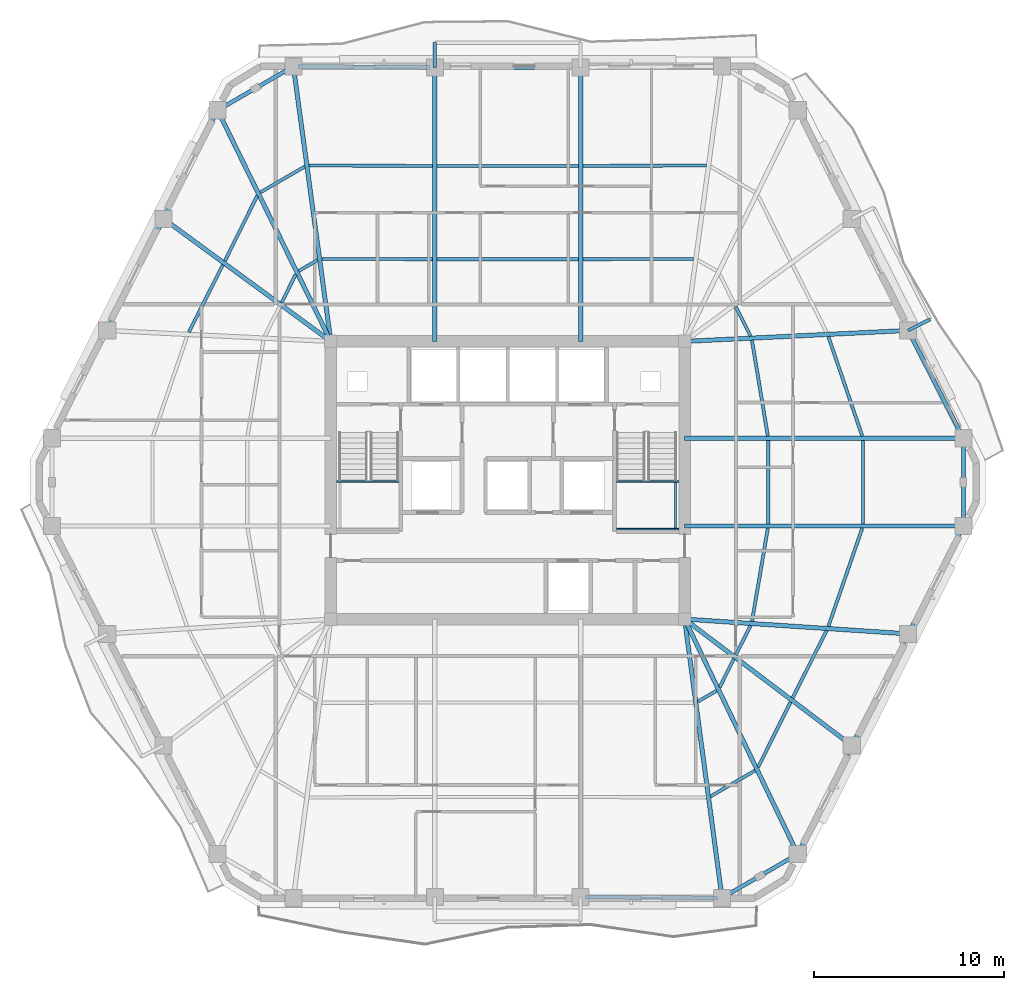
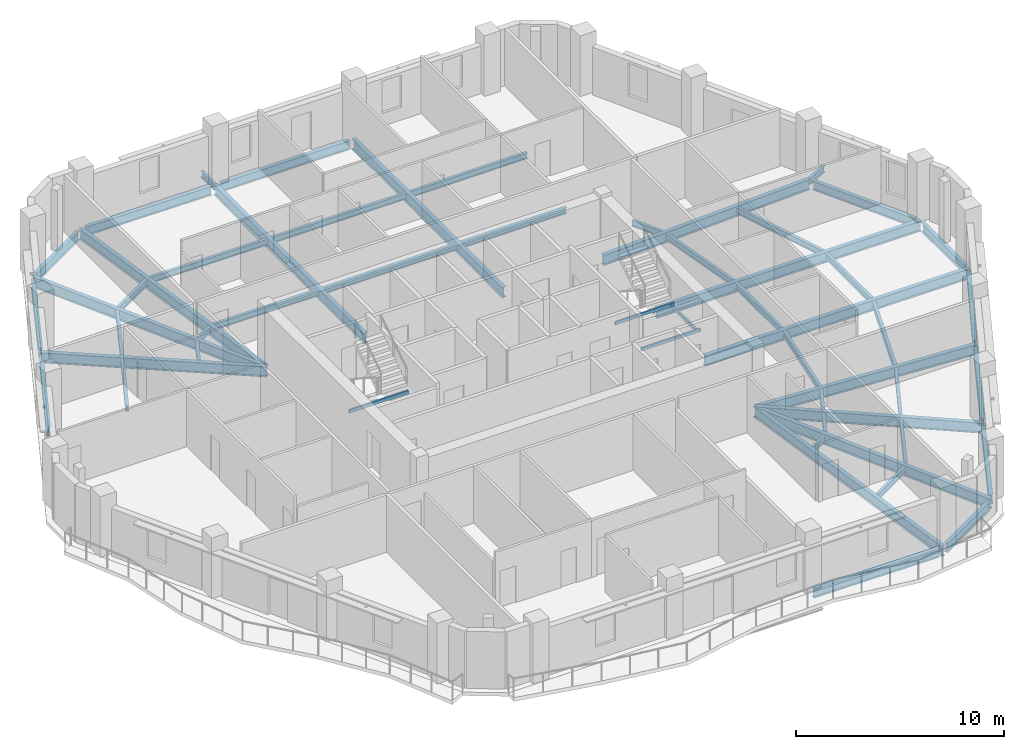
# One storey, part 2 of 12: 54 beams.
"""IFC4 building model written with IfcOpenShell, lengths in metres."""

from ifc_helpers import new_model, si_unit, direction, frame, origin, origin_2d, place, context, subcontext, project, spatial, hollow_rectangle, i_section, extrude, material, material_profile, profile_set, type_object, element, save


model = new_model("IFC4")

# Units and contexts
model_context = context("Model", 3, precision=1e-05, world=origin(), true_north=direction((0.0, 1.0)))
body_context = subcontext(model_context, "Body", "Model", "MODEL_VIEW")
ifc_project = project(units=[si_unit("LENGTHUNIT", "METRE"), si_unit("AREAUNIT", "SQUARE_METRE"), si_unit("VOLUMEUNIT", "CUBIC_METRE"), si_unit("PLANEANGLEUNIT", "RADIAN"), si_unit("MASSUNIT", "GRAM", prefix="KILO")], contexts=[model_context])

# Site, building, storey
site_placement = place(None, origin())
site = spatial("IfcSite", under=ifc_project, at=site_placement, CompositionType="ELEMENT")
building_placement = place(site_placement, origin())
building = spatial("IfcBuilding", under=site, at=building_placement, Name="Cinnabar Lancet Tower", CompositionType="ELEMENT")
storey_placement = place(building_placement, frame((0.0, 0.0, 157.050048828125)))
storey = spatial("IfcBuildingStorey", under=building, at=storey_placement, Name="L41", CompositionType="ELEMENT", Elevation=157.050048828125)

# Beams
ifc_material_1 = material(Name="Structural steel S355", Category="steel")
ifc_material_profile_1 = material_profile(ifc_material_1, i_section(OverallWidth=0.17138671875, OverallDepth=0.35498046875, WebThickness=0.00732421875, FlangeThickness=0.011474609375, FilletRadius=0.01025390625, at=origin_2d()), Name="UKB 356x171x51")
ifc_profile_set_1 = profile_set([ifc_material_profile_1], Name="Structural steel S355")
beam_type_1 = type_object("IfcBeamType", Name="STR-BM-JST-356", PredefinedType="JOIST", material=ifc_profile_set_1)
beam_1_placement = place(storey_placement, frame((43.06689453125, 9.279052734375, -0.387939453125), z_axis=(0.865172906898, 0.501473669469, 0.0), x_axis=(-0.501473669469, 0.865172906898, 0.0)))
element("IfcBeam", 1, at=beam_1_placement, inside=storey, type_object=beam_type_1, Name="L41 Secondary Floor Joist 15", PredefinedType="JOIST", context=body_context, shape_type="SweptSolid", body=[
    extrude(i_section(OverallWidth=0.17138671875, OverallDepth=0.35498046875, WebThickness=0.00732421875, FlangeThickness=0.011474609375, FilletRadius=0.01025390625, at=origin_2d()), origin(), (0.0, 0.0, 1.0), 2.705810546875),
])
beam_2_placement = place(storey_placement, frame((42.39794921875, 14.263916015625, -0.387939453125), z_axis=(0.865426285481, 0.501036270542, 0.0), x_axis=(-0.501036270542, 0.865426285481, 0.0)))
element("IfcBeam", 2, at=beam_2_placement, inside=storey, type_object=beam_type_1, Name="L41 Secondary Floor Joist 16", PredefinedType="JOIST", context=body_context, shape_type="SweptSolid", body=[
    extrude(i_section(OverallWidth=0.17138671875, OverallDepth=0.35498046875, WebThickness=0.00732421875, FlangeThickness=0.011474609375, FilletRadius=0.01025390625, at=origin_2d()), origin(), (0.0, 0.0, 1.0), 1.1416015625),
])
beam_3_placement = place(storey_placement, frame((45.572021484375, 10.822998046875, -0.387939453125), z_axis=(0.445320605596, 0.895371184611, 0.0), x_axis=(-0.895371184611, 0.445320605596, 0.0)))
element("IfcBeam", 3, at=beam_3_placement, inside=storey, type_object=beam_type_1, Name="L41 Secondary Floor Joist 17", PredefinedType="JOIST", context=body_context, shape_type="SweptSolid", body=[
    extrude(i_section(OverallWidth=0.17138671875, OverallDepth=0.35498046875, WebThickness=0.00732421875, FlangeThickness=0.011474609375, FilletRadius=0.01025390625, at=origin_2d()), origin(), (0.0, 0.0, 1.0), 3.819580078125),
])
beam_4_placement = place(storey_placement, frame((43.549072265625, 15.02294921875, -0.387939453125), z_axis=(0.445203586036, 0.895429375764, 0.0), x_axis=(-0.895429375764, 0.445203586036, 0.0)))
element("IfcBeam", 4, at=beam_4_placement, inside=storey, type_object=beam_type_1, Name="L41 Secondary Floor Joist 18", PredefinedType="JOIST", context=body_context, shape_type="SweptSolid", body=[
    extrude(i_section(OverallWidth=0.17138671875, OverallDepth=0.35498046875, WebThickness=0.00732421875, FlangeThickness=0.011474609375, FilletRadius=0.01025390625, at=origin_2d()), origin(), (0.0, 0.0, 1.0), 1.65283203125),
])
beam_5_placement = place(storey_placement, frame((47.376953125, 14.450927734375, -0.387939453125), z_axis=(0.450656035687, 0.892697674187, 0.0), x_axis=(-0.892697674187, 0.450656035687, 0.0)))
element("IfcBeam", 5, at=beam_5_placement, inside=storey, type_object=beam_type_1, Name="L41 Secondary Floor Joist 19", PredefinedType="JOIST", context=body_context, shape_type="SweptSolid", body=[
    extrude(i_section(OverallWidth=0.17138671875, OverallDepth=0.35498046875, WebThickness=0.00732421875, FlangeThickness=0.011474609375, FilletRadius=0.01025390625, at=origin_2d()), origin(), (0.0, 0.0, 1.0), 3.9677734375),
])
beam_6_placement = place(storey_placement, frame((44.388916015625, 16.7099609375, -0.387939453125), z_axis=(0.45064755491, 0.892701955444, 0.0), x_axis=(-0.892701955444, 0.45064755491, 0.0)))
element("IfcBeam", 6, at=beam_6_placement, inside=storey, type_object=beam_type_1, Name="L41 Secondary Floor Joist 20", PredefinedType="JOIST", context=body_context, shape_type="SweptSolid", body=[
    extrude(i_section(OverallWidth=0.17138671875, OverallDepth=0.35498046875, WebThickness=0.00732421875, FlangeThickness=0.011474609375, FilletRadius=0.01025390625, at=origin_2d()), origin(), (0.0, 0.0, 1.0), 1.733154296875),
])
beam_7_placement = place(storey_placement, frame((49.260009765625, 18.215087890625, -0.387939453125), z_axis=(0.326162915393, 0.945313573701, 0.0), x_axis=(-0.945313573701, 0.326162915393, 0.0)))
element("IfcBeam", 7, at=beam_7_placement, inside=storey, type_object=beam_type_1, Name="L41 Secondary Floor Joist 21", PredefinedType="JOIST", context=body_context, shape_type="SweptSolid", body=[
    extrude(i_section(OverallWidth=0.17138671875, OverallDepth=0.35498046875, WebThickness=0.00732421875, FlangeThickness=0.011474609375, FilletRadius=0.01025390625, at=origin_2d()), origin(), (0.0, 0.0, 1.0), 5.46044921875),
])
beam_8_placement = place(storey_placement, frame((45.2451171875, 18.47998046875, -0.387939453125), z_axis=(0.167649950638, 0.985846587483, 0.0), x_axis=(-0.985846587483, 0.167649950638, 0.0)))
element("IfcBeam", 8, at=beam_8_placement, inside=storey, type_object=beam_type_1, Name="L41 Secondary Floor Joist 22", PredefinedType="JOIST", context=body_context, shape_type="SweptSolid", body=[
    extrude(i_section(OverallWidth=0.17138671875, OverallDepth=0.35498046875, WebThickness=0.00732421875, FlangeThickness=0.011474609375, FilletRadius=0.01025390625, at=origin_2d()), origin(), (0.0, 0.0, 1.0), 4.96728515625),
])
for number, where, z_axis, x_axis, name in (
    (9, (51.080078125, 23.60498046875, -0.387939453125), (0.0, 1.0, 0.0), (-1.0, 0.0, 0.0), "L41 Secondary Floor Joist 23"),
    (10, (46.096923828125, 23.60498046875, -0.387939453125), (0.0, 1.0, 0.0), (-1.0, 0.0, 0.0), "L41 Secondary Floor Joist 24"),
):
    element("IfcBeam", number, at=place(storey_placement, frame(where, z_axis=z_axis, x_axis=x_axis)), inside=storey, type_object=beam_type_1, Name=name, PredefinedType="JOIST", context=body_context, shape_type="SweptSolid", body=[
        extrude(i_section(OverallWidth=0.17138671875, OverallDepth=0.35498046875, WebThickness=0.00732421875, FlangeThickness=0.011474609375, FilletRadius=0.01025390625, at=origin_2d()), origin(), (0.0, 0.0, 1.0), 4.39013671875),
    ])
beam_9_placement = place(storey_placement, frame((51.0419921875, 28.222900390625, -0.387939453125), z_axis=(-0.322342106762, 0.946623244067, 0.0), x_axis=(-0.946623244067, -0.322342106762, 0.0)))
element("IfcBeam", 11, at=beam_9_placement, inside=storey, type_object=beam_type_1, Name="L41 Secondary Floor Joist 25", PredefinedType="JOIST", context=body_context, shape_type="SweptSolid", body=[
    extrude(i_section(OverallWidth=0.17138671875, OverallDepth=0.35498046875, WebThickness=0.00732421875, FlangeThickness=0.011474609375, FilletRadius=0.01025390625, at=origin_2d()), origin(), (0.0, 0.0, 1.0), 5.5283203125),
])
beam_10_placement = place(storey_placement, frame((46.077880859375, 28.222900390625, -0.387939453125), z_axis=(-0.163375154205, 0.98656401667, 0.0), x_axis=(-0.98656401667, -0.163375154205, 0.0)))
element("IfcBeam", 12, at=beam_10_placement, inside=storey, type_object=beam_type_1, Name="L41 Secondary Floor Joist 26", PredefinedType="JOIST", context=body_context, shape_type="SweptSolid", body=[
    extrude(i_section(OverallWidth=0.17138671875, OverallDepth=0.35498046875, WebThickness=0.00732421875, FlangeThickness=0.011474609375, FilletRadius=0.01025390625, at=origin_2d()), origin(), (0.0, 0.0, 1.0), 5.104736328125),
])
beam_11_placement = place(storey_placement, frame((45.1689453125, 33.48388671875, -0.387939453125), z_axis=(-0.450425008213, 0.892814265106, 0.0), x_axis=(-0.892814265106, -0.450425008213, 0.0)))
element("IfcBeam", 13, at=beam_11_placement, inside=storey, type_object=beam_type_1, Name="L41 Secondary Floor Joist 28", PredefinedType="JOIST", context=body_context, shape_type="SweptSolid", body=[
    extrude(i_section(OverallWidth=0.17138671875, OverallDepth=0.35498046875, WebThickness=0.00732421875, FlangeThickness=0.011474609375, FilletRadius=0.01025390625, at=origin_2d()), origin(), (0.0, 0.0, 1.0), 1.731689453125),
])
beam_12_placement = place(storey_placement, frame((42.844970703125, 42.4541015625, -0.387939453125), z_axis=(-0.999987891549, -0.004921052359, 0.0), x_axis=(0.004921052359, -0.999987891549, 0.0)))
element("IfcBeam", 14, at=beam_12_placement, inside=storey, type_object=beam_type_1, Name="L41 Secondary Floor Joist 33", PredefinedType="JOIST", context=body_context, shape_type="SweptSolid", body=[
    extrude(i_section(OverallWidth=0.17138671875, OverallDepth=0.35498046875, WebThickness=0.00732421875, FlangeThickness=0.011474609375, FilletRadius=0.01025390625, at=origin_2d()), origin(), (0.0, 0.0, 1.0), 6.4990234375),
])
beam_13_placement = place(storey_placement, frame((42.176025390625, 37.5380859375, -0.387939453125), z_axis=(-0.999996629591, -0.002596306157, 0.0), x_axis=(0.002596306157, -0.999996629591, 0.0)))
element("IfcBeam", 15, at=beam_13_placement, inside=storey, type_object=beam_type_1, Name="L41 Secondary Floor Joist 34", PredefinedType="JOIST", context=body_context, shape_type="SweptSolid", body=[
    extrude(i_section(OverallWidth=0.17138671875, OverallDepth=0.35498046875, WebThickness=0.00732421875, FlangeThickness=0.011474609375, FilletRadius=0.01025390625, at=origin_2d()), origin(), (0.0, 0.0, 1.0), 5.830078125),
])
for number, where, z_axis, x_axis, name in (
    (16, (36.117919921875, 42.4208984375, -0.387939453125), (-1.0, 0.0, 0.0), (0.0, -1.0, 0.0), "L41 Secondary Floor Joist 35"),
    (17, (36.117919921875, 37.52197265625, -0.387939453125), (-1.0, 0.0, 0.0), (0.0, -1.0, 0.0), "L41 Secondary Floor Joist 36"),
):
    element("IfcBeam", number, at=place(storey_placement, frame(where, z_axis=z_axis, x_axis=x_axis)), inside=storey, type_object=beam_type_1, Name=name, PredefinedType="JOIST", context=body_context, shape_type="SweptSolid", body=[
        extrude(i_section(OverallWidth=0.17138671875, OverallDepth=0.35498046875, WebThickness=0.00732421875, FlangeThickness=0.011474609375, FilletRadius=0.01025390625, at=origin_2d()), origin(), (0.0, 0.0, 1.0), 7.43603515625),
    ])
beam_14_placement = place(storey_placement, frame((28.4541015625, 42.422119140625, -0.387939453125), z_axis=(-0.999987891549, 0.004921052359, 0.0), x_axis=(-0.004921052359, -0.999987891549, 0.0)))
element("IfcBeam", 18, at=beam_14_placement, inside=storey, type_object=beam_type_1, Name="L41 Secondary Floor Joist 37", PredefinedType="JOIST", context=body_context, shape_type="SweptSolid", body=[
    extrude(i_section(OverallWidth=0.17138671875, OverallDepth=0.35498046875, WebThickness=0.00732421875, FlangeThickness=0.011474609375, FilletRadius=0.01025390625, at=origin_2d()), origin(), (0.0, 0.0, 1.0), 6.4990234375),
])
beam_15_placement = place(storey_placement, frame((28.4541015625, 37.52294921875, -0.387939453125), z_axis=(-0.999996629591, 0.002596306157, 0.0), x_axis=(-0.002596306157, -0.999996629591, 0.0)))
element("IfcBeam", 19, at=beam_15_placement, inside=storey, type_object=beam_type_1, Name="L41 Secondary Floor Joist 38", PredefinedType="JOIST", context=body_context, shape_type="SweptSolid", body=[
    extrude(i_section(OverallWidth=0.17138671875, OverallDepth=0.35498046875, WebThickness=0.00732421875, FlangeThickness=0.011474609375, FilletRadius=0.01025390625, at=origin_2d()), origin(), (0.0, 0.0, 1.0), 5.830078125),
])
beam_16_placement = place(storey_placement, frame((21.73291015625, 42.39306640625, -0.387939453125), z_axis=(-0.865111063351, -0.50158035056, 0.0), x_axis=(0.50158035056, -0.865111063351, 0.0)))
element("IfcBeam", 20, at=beam_16_placement, inside=storey, type_object=beam_type_1, Name="L41 Secondary Floor Joist 39", PredefinedType="JOIST", context=body_context, shape_type="SweptSolid", body=[
    extrude(i_section(OverallWidth=0.17138671875, OverallDepth=0.35498046875, WebThickness=0.00732421875, FlangeThickness=0.011474609375, FilletRadius=0.01025390625, at=origin_2d()), origin(), (0.0, 0.0, 1.0), 2.705810546875),
])
beam_17_placement = place(storey_placement, frame((22.403076171875, 37.47607421875, -0.387939453125), z_axis=(-0.865640778484, -0.500665599602, 0.0), x_axis=(0.500665599602, -0.865640778484, 0.0)))
element("IfcBeam", 21, at=beam_17_placement, inside=storey, type_object=beam_type_1, Name="L41 Secondary Floor Joist 40", PredefinedType="JOIST", context=body_context, shape_type="SweptSolid", body=[
    extrude(i_section(OverallWidth=0.17138671875, OverallDepth=0.35498046875, WebThickness=0.00732421875, FlangeThickness=0.011474609375, FilletRadius=0.01025390625, at=origin_2d()), origin(), (0.0, 0.0, 1.0), 1.142578125),
])
beam_18_placement = place(storey_placement, frame((19.22900390625, 40.85009765625, -0.387939453125), z_axis=(-0.4452962175, -0.895383313827, 0.0), x_axis=(0.895383313827, -0.4452962175, 0.0)))
element("IfcBeam", 22, at=beam_18_placement, inside=storey, type_object=beam_type_1, Name="L41 Secondary Floor Joist 41", PredefinedType="JOIST", context=body_context, shape_type="SweptSolid", body=[
    extrude(i_section(OverallWidth=0.17138671875, OverallDepth=0.35498046875, WebThickness=0.00732421875, FlangeThickness=0.011474609375, FilletRadius=0.01025390625, at=origin_2d()), origin(), (0.0, 0.0, 1.0), 3.822021484375),
])
beam_19_placement = place(storey_placement, frame((21.2509765625, 36.717041015625, -0.387939453125), z_axis=(-0.445322008813, -0.895370486708, 0.0), x_axis=(0.895370486708, -0.445322008813, 0.0)))
element("IfcBeam", 23, at=beam_19_placement, inside=storey, type_object=beam_type_1, Name="L41 Secondary Floor Joist 42", PredefinedType="JOIST", context=body_context, shape_type="SweptSolid", body=[
    extrude(i_section(OverallWidth=0.17138671875, OverallDepth=0.35498046875, WebThickness=0.00732421875, FlangeThickness=0.011474609375, FilletRadius=0.01025390625, at=origin_2d()), origin(), (0.0, 0.0, 1.0), 1.65283203125),
])
beam_20_placement = place(storey_placement, frame((17.423095703125, 37.221923828125, -0.387939453125), z_axis=(-0.450656035687, -0.892697674187, 0.0), x_axis=(0.892697674187, -0.450656035687, 0.0)))
element("IfcBeam", 24, at=beam_20_placement, inside=storey, type_object=beam_type_1, Name="L41 Secondary Floor Joist 43", PredefinedType="JOIST", context=body_context, shape_type="SweptSolid", body=[
    extrude(i_section(OverallWidth=0.17138671875, OverallDepth=0.35498046875, WebThickness=0.00732421875, FlangeThickness=0.011474609375, FilletRadius=0.01025390625, at=origin_2d()), origin(), (0.0, 0.0, 1.0), 3.9677734375),
])
ifc_material_2 = material(Name="Structural steel S355", Category="steel")
ifc_material_profile_2 = material_profile(ifc_material_2, hollow_rectangle(XDim=0.10009765625, YDim=0.199951171875, WallThickness=0.008056640625, InnerFilletRadius=0.00390625, OuterFilletRadius=0.011962890625, at=origin_2d()), Name="RHS 200x100x8")
ifc_profile_set_2 = profile_set([ifc_material_profile_2], Name="Structural steel S355")
beam_type_2 = type_object("IfcBeamType", Name="STR-BM-LND-203", PredefinedType="BEAM", material=ifc_profile_set_2)
beam_21_placement = place(storey_placement, frame((23.39990234375, 25.844970703125, 1.474853515625), z_axis=(1.0, 0.0, 0.0), x_axis=(0.0, 1.0, 0.0)))
element("IfcBeam", 25, at=beam_21_placement, inside=storey, type_object=beam_type_2, Name="L41 ST-1-L41 Landing Support Beam N", PredefinedType="BEAM", context=body_context, shape_type="SweptSolid", body=[
    extrude(hollow_rectangle(XDim=0.10009765625, YDim=0.199951171875, WallThickness=0.008056640625, InnerFilletRadius=0.00390625, OuterFilletRadius=0.011962890625, at=origin_2d()), origin(), (0.0, 0.0, 1.0), 3.280029296875),
])
for number, where, z_axis, x_axis, name in (
    (26, (38.1201171875, 23.330078125, 1.474853515625), (1.0, 0.0, 0.0), (0.0, 1.0, 0.0), "L41 ST-2-L41 Landing Support Beam S"),
    (27, (38.1201171875, 25.844970703125, 1.474853515625), (1.0, 0.0, 0.0), (0.0, 1.0, 0.0), "L41 ST-2-L41 Landing Support Beam N"),
):
    element("IfcBeam", number, at=place(storey_placement, frame(where, z_axis=z_axis, x_axis=x_axis)), inside=storey, type_object=beam_type_2, Name=name, PredefinedType="BEAM", context=body_context, shape_type="SweptSolid", body=[
        extrude(hollow_rectangle(XDim=0.10009765625, YDim=0.199951171875, WallThickness=0.008056640625, InnerFilletRadius=0.00390625, OuterFilletRadius=0.011962890625, at=origin_2d()), origin(), (0.0, 0.0, 1.0), 3.27978515625),
    ])
beam_22_placement = place(storey_placement, frame((41.219970703125, 23.3798828125, 1.474853515625), z_axis=(0.0, 1.0, 0.0), x_axis=(-1.0, 0.0, 0.0)))
element("IfcBeam", 28, at=beam_22_placement, inside=storey, type_object=beam_type_2, Name="L41 ST-2-L41 Landing Side Trimmer Beam", PredefinedType="BEAM", context=body_context, shape_type="SweptSolid", body=[
    extrude(hollow_rectangle(XDim=0.10009765625, YDim=0.199951171875, WallThickness=0.008056640625, InnerFilletRadius=0.00390625, OuterFilletRadius=0.011962890625, at=origin_2d()), origin(), (0.0, 0.0, 1.0), 2.4150390625),
])
ifc_material_3 = material(Name="Structural steel S355", Category="steel")
ifc_material_profile_3 = material_profile(ifc_material_3, i_section(OverallWidth=0.209228515625, OverallDepth=0.533203125, WebThickness=0.010009765625, FlangeThickness=0.015625, FilletRadius=0.0126953125, at=origin_2d()), Name="UKB 533x210x92")
ifc_profile_set_3 = profile_set([ifc_material_profile_3], Name="Structural steel S355")
beam_type_3 = type_object("IfcBeamType", Name="STR-BM-SPN-533", PredefinedType="SPANDREL", material=ifc_profile_set_3)
beam_23_placement = place(storey_placement, frame((36.48193359375, 3.989990234375, -0.47705078125), z_axis=(0.999974980359, -0.007073800628, 0.0), x_axis=(0.007073800628, 0.999974980359, 0.0)))
element("IfcBeam", 29, at=beam_23_placement, inside=storey, type_object=beam_type_3, Name="L41 Perimeter Spandrel 3", PredefinedType="SPANDREL", context=body_context, shape_type="SweptSolid", body=[
    extrude(i_section(OverallWidth=0.209228515625, OverallDepth=0.533203125, WebThickness=0.010009765625, FlangeThickness=0.015625, FilletRadius=0.0126953125, at=origin_2d()), origin(), (0.0, 0.0, 1.0), 6.937255859375),
])
beam_24_placement = place(storey_placement, frame((43.885009765625, 4.06396484375, -0.47705078125), z_axis=(0.865112299906, 0.501578217781, 0.0), x_axis=(-0.501578217781, 0.865112299906, 0.0)))
element("IfcBeam", 30, at=beam_24_placement, inside=storey, type_object=beam_type_3, Name="L41 Perimeter Spandrel 4", PredefinedType="SPANDREL", context=body_context, shape_type="SweptSolid", body=[
    extrude(i_section(OverallWidth=0.209228515625, OverallDepth=0.533203125, WebThickness=0.010009765625, FlangeThickness=0.015625, FilletRadius=0.0126953125, at=origin_2d()), origin(), (0.0, 0.0, 1.0), 4.101318359375),
])
beam_25_placement = place(storey_placement, frame((47.760009765625, 6.469970703125, -0.47705078125), z_axis=(0.445501068635, 0.89528140707, 0.0), x_axis=(-0.89528140707, 0.445501068635, 0.0)))
element("IfcBeam", 31, at=beam_25_placement, inside=storey, type_object=beam_type_3, Name="L41 Perimeter Spandrel 5", PredefinedType="SPANDREL", context=body_context, shape_type="SweptSolid", body=[
    extrude(i_section(OverallWidth=0.209228515625, OverallDepth=0.533203125, WebThickness=0.010009765625, FlangeThickness=0.015625, FilletRadius=0.0126953125, at=origin_2d()), origin(), (0.0, 0.0, 1.0), 5.87646484375),
])
beam_26_placement = place(storey_placement, frame((50.60205078125, 12.177978515625, -0.47705078125), z_axis=(0.450570325924, 0.892740937449, 0.0), x_axis=(-0.892740937449, 0.450570325924, 0.0)))
element("IfcBeam", 32, at=beam_26_placement, inside=storey, type_object=beam_type_3, Name="L41 Perimeter Spandrel 6", PredefinedType="SPANDREL", context=body_context, shape_type="SweptSolid", body=[
    extrude(i_section(OverallWidth=0.209228515625, OverallDepth=0.533203125, WebThickness=0.010009765625, FlangeThickness=0.015625, FilletRadius=0.0126953125, at=origin_2d()), origin(), (0.0, 0.0, 1.0), 6.07470703125),
])
beam_27_placement = place(storey_placement, frame((53.56591796875, 18.0458984375, -0.47705078125), z_axis=(0.456109733574, 0.889923542187, 0.0), x_axis=(-0.889923542187, 0.456109733574, 0.0)))
element("IfcBeam", 33, at=beam_27_placement, inside=storey, type_object=beam_type_3, Name="L41 Perimeter Spandrel 7", PredefinedType="SPANDREL", context=body_context, shape_type="SweptSolid", body=[
    extrude(i_section(OverallWidth=0.209228515625, OverallDepth=0.533203125, WebThickness=0.010009765625, FlangeThickness=0.015625, FilletRadius=0.0126953125, at=origin_2d()), origin(), (0.0, 0.0, 1.0), 5.869140625),
])
beam_28_placement = place(storey_placement, frame((56.35693359375, 23.740966796875, -0.47705078125), z_axis=(0.0, 1.0, 0.0), x_axis=(-1.0, 0.0, 0.0)))
element("IfcBeam", 34, at=beam_28_placement, inside=storey, type_object=beam_type_3, Name="L41 Perimeter Spandrel 8", PredefinedType="SPANDREL", context=body_context, shape_type="SweptSolid", body=[
    extrude(i_section(OverallWidth=0.209228515625, OverallDepth=0.533203125, WebThickness=0.010009765625, FlangeThickness=0.015625, FilletRadius=0.0126953125, at=origin_2d()), origin(), (0.0, 0.0, 1.0), 4.117919921875),
])
beam_29_placement = place(storey_placement, frame((56.242919921875, 28.3310546875, -0.47705078125), z_axis=(-0.456126618405, 0.889914888055, 0.0), x_axis=(-0.889914888055, -0.456126618405, 0.0)))
element("IfcBeam", 35, at=beam_29_placement, inside=storey, type_object=beam_type_3, Name="L41 Perimeter Spandrel 9", PredefinedType="SPANDREL", context=body_context, shape_type="SweptSolid", body=[
    extrude(i_section(OverallWidth=0.209228515625, OverallDepth=0.533203125, WebThickness=0.010009765625, FlangeThickness=0.015625, FilletRadius=0.0126953125, at=origin_2d()), origin(), (0.0, 0.0, 1.0), 5.868896484375),
])
beam_30_placement = place(storey_placement, frame((35.98193359375, 47.60791015625, -0.47705078125), z_axis=(-1.0, 0.0, 0.0), x_axis=(0.0, -1.0, 0.0)))
element("IfcBeam", 36, at=beam_30_placement, inside=storey, type_object=beam_type_3, Name="L41 Perimeter Spandrel 14", PredefinedType="SPANDREL", context=body_context, shape_type="SweptSolid", body=[
    extrude(i_section(OverallWidth=0.209228515625, OverallDepth=0.533203125, WebThickness=0.010009765625, FlangeThickness=0.015625, FilletRadius=0.0126953125, at=origin_2d()), origin(), (0.0, 0.0, 1.0), 7.163818359375),
])
beam_31_placement = place(storey_placement, frame((28.318115234375, 47.610107421875, -0.47705078125), z_axis=(-0.999975228682, 0.007038609338, 0.0), x_axis=(-0.007038609338, -0.999975228682, 0.0)))
element("IfcBeam", 37, at=beam_31_placement, inside=storey, type_object=beam_type_3, Name="L41 Perimeter Spandrel 15", PredefinedType="SPANDREL", context=body_context, shape_type="SweptSolid", body=[
    extrude(i_section(OverallWidth=0.209228515625, OverallDepth=0.533203125, WebThickness=0.010009765625, FlangeThickness=0.015625, FilletRadius=0.0126953125, at=origin_2d()), origin(), (0.0, 0.0, 1.0), 6.937255859375),
])
beam_32_placement = place(storey_placement, frame((20.9150390625, 47.535888671875, -0.47705078125), z_axis=(-0.865138129765, -0.5015336643, 0.0), x_axis=(0.5015336643, -0.865138129765, 0.0)))
element("IfcBeam", 38, at=beam_32_placement, inside=storey, type_object=beam_type_3, Name="L41 Perimeter Spandrel 16", PredefinedType="SPANDREL", context=body_context, shape_type="SweptSolid", body=[
    extrude(i_section(OverallWidth=0.209228515625, OverallDepth=0.533203125, WebThickness=0.010009765625, FlangeThickness=0.015625, FilletRadius=0.0126953125, at=origin_2d()), origin(), (0.0, 0.0, 1.0), 4.10107421875),
])
beam_33_placement = place(storey_placement, frame((17.0400390625, 45.1298828125, -0.47705078125), z_axis=(-0.445501068635, -0.89528140707, 0.0), x_axis=(0.89528140707, -0.445501068635, 0.0)))
element("IfcBeam", 39, at=beam_33_placement, inside=storey, type_object=beam_type_3, Name="L41 Perimeter Spandrel 17", PredefinedType="SPANDREL", context=body_context, shape_type="SweptSolid", body=[
    extrude(i_section(OverallWidth=0.209228515625, OverallDepth=0.533203125, WebThickness=0.010009765625, FlangeThickness=0.015625, FilletRadius=0.0126953125, at=origin_2d()), origin(), (0.0, 0.0, 1.0), 5.87646484375),
])
beam_34_placement = place(storey_placement, frame((14.197998046875, 39.422119140625, -0.47705078125), z_axis=(-0.450570325924, -0.892740937449, 0.0), x_axis=(0.892740937449, -0.450570325924, 0.0)))
element("IfcBeam", 40, at=beam_34_placement, inside=storey, type_object=beam_type_3, Name="L41 Perimeter Spandrel 18", PredefinedType="SPANDREL", context=body_context, shape_type="SweptSolid", body=[
    extrude(i_section(OverallWidth=0.209228515625, OverallDepth=0.533203125, WebThickness=0.010009765625, FlangeThickness=0.015625, FilletRadius=0.0126953125, at=origin_2d()), origin(), (0.0, 0.0, 1.0), 6.07470703125),
])
ifc_material_4 = material(Name="Structural steel S355", Category="steel")
ifc_material_profile_4 = material_profile(ifc_material_4, i_section(OverallWidth=0.228271484375, OverallDepth=0.607666015625, WebThickness=0.010986328125, FlangeThickness=0.017333984375, FilletRadius=0.0126953125, at=origin_2d()), Name="UKB 610x229x113")
ifc_profile_set_4 = profile_set([ifc_material_profile_4], Name="Structural steel S355")
beam_type_4 = type_object("IfcBeamType", Name="STR-BM-UKB610-113", PredefinedType="BEAM", material=ifc_profile_set_4)
beam_35_placement = place(storey_placement, frame((50.489013671875, 11.955078125, -0.51416015625), z_axis=(-0.797675450227, 0.603086955675, 0.0), x_axis=(-0.603086955675, -0.797675450227, 0.0)))
element("IfcBeam", 41, at=beam_35_placement, inside=storey, type_object=beam_type_4, Name="L41 Corner Collector Girder 2", PredefinedType="BEAM", context=body_context, shape_type="SweptSolid", body=[
    extrude(i_section(OverallWidth=0.228271484375, OverallDepth=0.607666015625, WebThickness=0.010986328125, FlangeThickness=0.017333984375, FilletRadius=0.0126953125, at=origin_2d()), origin(), (0.0, 0.0, 1.0), 11.018310546875),
])
beam_36_placement = place(storey_placement, frame((14.31103515625, 39.64501953125, -0.51416015625), z_axis=(0.806415678013, -0.591349096774, 0.0), x_axis=(0.591349096774, 0.806415678013, 0.0)))
element("IfcBeam", 42, at=beam_36_placement, inside=storey, type_object=beam_type_4, Name="L41 Corner Collector Girder 4", PredefinedType="BEAM", context=body_context, shape_type="SweptSolid", body=[
    extrude(i_section(OverallWidth=0.228271484375, OverallDepth=0.607666015625, WebThickness=0.010986328125, FlangeThickness=0.017333984375, FilletRadius=0.0126953125, at=origin_2d()), origin(), (0.0, 0.0, 1.0), 10.89892578125),
])
beam_37_placement = place(storey_placement, frame((43.6689453125, 3.93896484375, -0.51416015625), z_axis=(-0.133105256814, 0.991101907277, 0.0), x_axis=(-0.991101907277, -0.133105256814, 0.0)))
element("IfcBeam", 43, at=beam_37_placement, inside=storey, type_object=beam_type_4, Name="L41 Primary Floor Girder 4", PredefinedType="BEAM", context=body_context, shape_type="SweptSolid", body=[
    extrude(i_section(OverallWidth=0.228271484375, OverallDepth=0.607666015625, WebThickness=0.010986328125, FlangeThickness=0.017333984375, FilletRadius=0.0126953125, at=origin_2d()), origin(), (0.0, 0.0, 1.0), 14.792724609375),
])
beam_38_placement = place(storey_placement, frame((47.64892578125, 6.24609375, -0.51416015625), z_axis=(-0.433860052011, 0.900980274628, 0.0), x_axis=(-0.900980274628, -0.433860052011, 0.0)))
element("IfcBeam", 44, at=beam_38_placement, inside=storey, type_object=beam_type_4, Name="L41 Primary Floor Girder 5", PredefinedType="BEAM", context=body_context, shape_type="SweptSolid", body=[
    extrude(i_section(OverallWidth=0.228271484375, OverallDepth=0.607666015625, WebThickness=0.010986328125, FlangeThickness=0.017333984375, FilletRadius=0.0126953125, at=origin_2d()), origin(), (0.0, 0.0, 1.0), 13.711669921875),
])
beam_39_placement = place(storey_placement, frame((53.451904296875, 17.823974609375, -0.51416015625), z_axis=(-0.997826331825, 0.065898494035, 0.0), x_axis=(-0.065898494035, -0.997826331825, 0.0)))
element("IfcBeam", 45, at=beam_39_placement, inside=storey, type_object=beam_type_4, Name="L41 Primary Floor Girder 7", PredefinedType="BEAM", context=body_context, shape_type="SweptSolid", body=[
    extrude(i_section(OverallWidth=0.228271484375, OverallDepth=0.607666015625, WebThickness=0.010986328125, FlangeThickness=0.017333984375, FilletRadius=0.0126953125, at=origin_2d()), origin(), (0.0, 0.0, 1.0), 11.777587890625),
])
for number, where, z_axis, x_axis, name in (
    (46, (56.35693359375, 23.490966796875, -0.51416015625), (-1.0, 0.0, 0.0), (0.0, -1.0, 0.0), "L41 Primary Floor Girder 8"),
    (47, (56.35693359375, 28.10888671875, -0.51416015625), (-1.0, 0.0, 0.0), (0.0, -1.0, 0.0), "L41 Primary Floor Girder 9"),
):
    element("IfcBeam", number, at=place(storey_placement, frame(where, z_axis=z_axis, x_axis=x_axis)), inside=storey, type_object=beam_type_4, Name=name, PredefinedType="BEAM", context=body_context, shape_type="SweptSolid", body=[
        extrude(i_section(OverallWidth=0.228271484375, OverallDepth=0.607666015625, WebThickness=0.010986328125, FlangeThickness=0.017333984375, FilletRadius=0.0126953125, at=origin_2d()), origin(), (0.0, 0.0, 1.0), 14.656982421875),
    ])
beam_40_placement = place(storey_placement, frame((53.451904296875, 33.77587890625, -0.51416015625), z_axis=(-0.998801316657, -0.048948236372, 0.0), x_axis=(0.048948236372, -0.998801316657, 0.0)))
element("IfcBeam", 48, at=beam_40_placement, inside=storey, type_object=beam_type_4, Name="L41 Primary Floor Girder 10", PredefinedType="BEAM", context=body_context, shape_type="SweptSolid", body=[
    extrude(i_section(OverallWidth=0.228271484375, OverallDepth=0.607666015625, WebThickness=0.010986328125, FlangeThickness=0.017333984375, FilletRadius=0.0126953125, at=origin_2d()), origin(), (0.0, 0.0, 1.0), 11.76611328125),
])
for number, where, z_axis, x_axis, name in (
    (49, (36.23193359375, 47.60791015625, -0.51416015625), (0.0, -1.0, 0.0), (1.0, 0.0, 0.0), "L41 Primary Floor Girder 14"),
    (50, (28.568115234375, 47.60791015625, -0.51416015625), (0.0, -1.0, 0.0), (1.0, 0.0, 0.0), "L41 Primary Floor Girder 15"),
):
    element("IfcBeam", number, at=place(storey_placement, frame(where, z_axis=z_axis, x_axis=x_axis)), inside=storey, type_object=beam_type_4, Name=name, PredefinedType="BEAM", context=body_context, shape_type="SweptSolid", body=[
        extrude(i_section(OverallWidth=0.228271484375, OverallDepth=0.607666015625, WebThickness=0.010986328125, FlangeThickness=0.017333984375, FilletRadius=0.0126953125, at=origin_2d()), origin(), (0.0, 0.0, 1.0), 14.407958984375),
    ])
beam_41_placement = place(storey_placement, frame((21.131103515625, 47.660888671875, -0.51416015625), z_axis=(0.134914632731, -0.990857225777, 0.0), x_axis=(0.990857225777, 0.134914632731, 0.0)))
element("IfcBeam", 51, at=beam_41_placement, inside=storey, type_object=beam_type_4, Name="L41 Primary Floor Girder 16", PredefinedType="BEAM", context=body_context, shape_type="SweptSolid", body=[
    extrude(i_section(OverallWidth=0.228271484375, OverallDepth=0.607666015625, WebThickness=0.010986328125, FlangeThickness=0.017333984375, FilletRadius=0.0126953125, at=origin_2d()), origin(), (0.0, 0.0, 1.0), 14.594482421875),
])
beam_42_placement = place(storey_placement, frame((17.15087890625, 45.35400390625, -0.51416015625), z_axis=(0.439641746189, -0.898173221048, 0.0), x_axis=(0.898173221048, 0.439641746189, 0.0)))
element("IfcBeam", 52, at=beam_42_placement, inside=storey, type_object=beam_type_4, Name="L41 Primary Floor Girder 17", PredefinedType="BEAM", context=body_context, shape_type="SweptSolid", body=[
    extrude(i_section(OverallWidth=0.228271484375, OverallDepth=0.607666015625, WebThickness=0.010986328125, FlangeThickness=0.017333984375, FilletRadius=0.0126953125, at=origin_2d()), origin(), (0.0, 0.0, 1.0), 13.531982421875),
])
ifc_material_5 = material(Name="Structural steel S355", Category="steel")
ifc_material_profile_5 = material_profile(ifc_material_5, i_section(OverallWidth=0.17138671875, OverallDepth=0.35498046875, WebThickness=0.00732421875, FlangeThickness=0.011474609375, FilletRadius=0.01025390625, at=origin_2d()), Name="UKB 356x171x51")
ifc_profile_set_5 = profile_set([ifc_material_profile_5], Name="Structural steel S355")
beam_type_5 = type_object("IfcBeamType", Name="STR-BM-WAV-OUT", PredefinedType="BEAM", material=ifc_profile_set_5)
beam_43_placement = place(storey_placement, frame((53.451904296875, 33.77587890625, -0.39697265625), z_axis=(0.892238560088, 0.451564338597, 0.0), x_axis=(-0.451564338597, 0.892238560088, 0.0)))
element("IfcBeam", 53, at=beam_43_placement, inside=storey, type_object=beam_type_5, Name="L41 Face 3 Balcony Outlooker A", PredefinedType="BEAM", context=body_context, shape_type="SweptSolid", body=[
    extrude(i_section(OverallWidth=0.17138671875, OverallDepth=0.35498046875, WebThickness=0.00732421875, FlangeThickness=0.011474609375, FilletRadius=0.01025390625, at=origin_2d()), origin(), (0.0, 0.0, 1.0), 1.30029296875),
])
beam_44_placement = place(storey_placement, frame((28.568115234375, 47.60791015625, -0.39697265625), z_axis=(0.0, 1.0, 0.0), x_axis=(-1.0, 0.0, 0.0)))
element("IfcBeam", 54, at=beam_44_placement, inside=storey, type_object=beam_type_5, Name="L41 Face 4 Balcony Outlooker B", PredefinedType="BEAM", context=body_context, shape_type="SweptSolid", body=[
    extrude(i_section(OverallWidth=0.17138671875, OverallDepth=0.35498046875, WebThickness=0.00732421875, FlangeThickness=0.011474609375, FilletRadius=0.01025390625, at=origin_2d()), origin(), (0.0, 0.0, 1.0), 1.300048828125),
])

save(model, "model.ifc")
